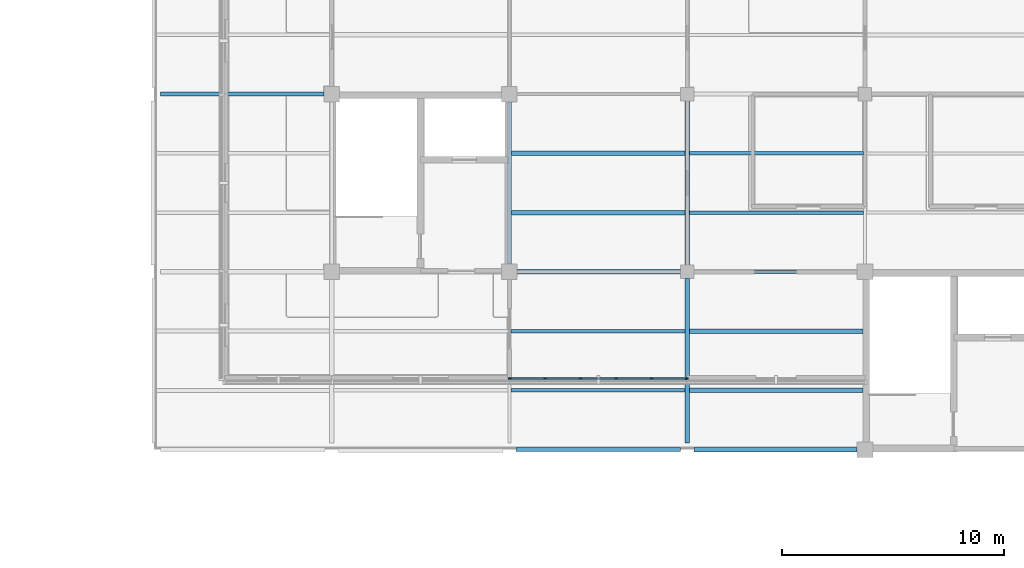
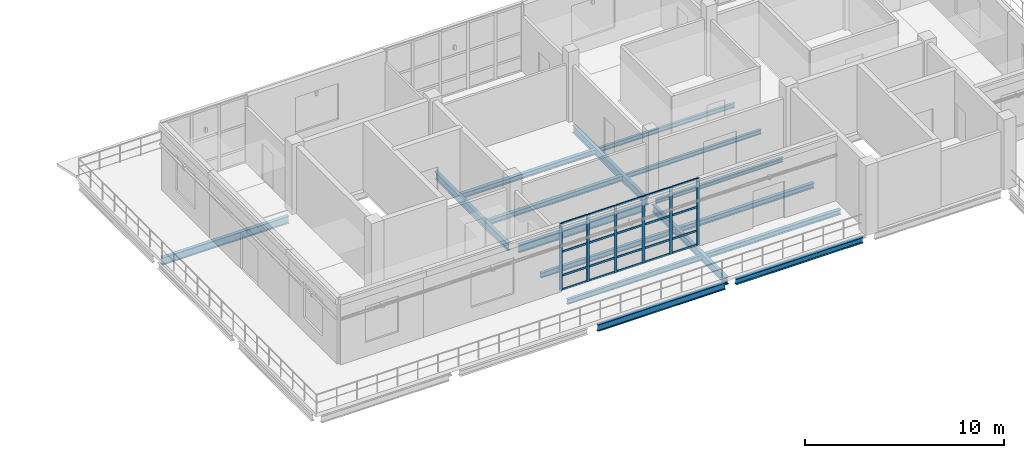
# One storey, part 8 of 24: 26 members, 16 beams, 1 element without a shape of its own.
"""IFC4 building model written with IfcOpenShell, lengths in metres."""

from ifc_helpers import new_model, si_unit, derived_unit, direction, frame, origin, origin_2d, place, context, subcontext, project, spatial, rectangle, i_section, extrude, material, layer, layer_set, material_profile, profile_set, type_object, element, aggregate, save


model = new_model("IFC4")

# Units and contexts
model_context = context("Model", 3, precision=1e-05, world=origin(), true_north=direction((0.0, 1.0)))
body_context = subcontext(model_context, "Body", "Model", "MODEL_VIEW")
ifc_project = project(units=[si_unit("LENGTHUNIT", "METRE"), si_unit("AREAUNIT", "SQUARE_METRE"), si_unit("VOLUMEUNIT", "CUBIC_METRE"), si_unit("PLANEANGLEUNIT", "RADIAN"), si_unit("MASSUNIT", "GRAM", prefix="KILO"), derived_unit("THERMALTRANSMITTANCEUNIT", [(si_unit("MASSUNIT", "GRAM", prefix="KILO"), 1), (si_unit("TIMEUNIT", "SECOND"), -3), (si_unit("THERMODYNAMICTEMPERATUREUNIT", "KELVIN"), -1)])], contexts=[model_context])

# Site, building, storey
site_placement = place(None, origin())
site = spatial("IfcSite", under=ifc_project, at=site_placement, CompositionType="ELEMENT")
building_placement = place(site_placement, origin())
building = spatial("IfcBuilding", under=site, at=building_placement, Name="Veyamyaing Civic Hall", CompositionType="ELEMENT")
storey_placement = place(building_placement, frame((0.0, 0.0, 25.739990234375)))
storey = spatial("IfcBuildingStorey", under=building, at=storey_placement, Name="L06", CompositionType="ELEMENT", Elevation=25.739990234375)

# Beams
ifc_material_1 = material(Name="Steel ASTM A992", Category="steel")
ifc_material_profile_1 = material_profile(ifc_material_1, i_section(OverallWidth=0.19189453125, OverallDepth=0.462890625, WebThickness=0.010498046875, FlangeThickness=0.017578125, FilletRadius=0.010009765625, at=origin_2d()), Name="W460X89")
ifc_profile_set_1 = profile_set([ifc_material_profile_1], Name="Steel ASTM A992")
beam_type_1 = type_object("IfcBeamType", Name="B-08", PredefinedType="BEAM", material=ifc_profile_set_1)
beam_1_placement = place(storey_placement, frame((144.0, 96.35009765625, -0.45654296875), z_axis=(0.0, 1.0, 0.0), x_axis=(-1.0, 0.0, 0.0)))
element("IfcBeam", 1, at=beam_1_placement, inside=storey, type_object=beam_type_1, Name="Girder B-08 L06 Grid 19 N-P", PredefinedType="BEAM", context=body_context, shape_type="SweptSolid", body=[
    extrude(i_section(OverallWidth=0.19189453125, OverallDepth=0.462890625, WebThickness=0.010498046875, FlangeThickness=0.017578125, FilletRadius=0.010009765625, at=origin_2d()), origin(), (0.0, 0.0, 1.0), 7.2998046875),
])
beam_2_placement = place(storey_placement, frame((152.0, 88.300048828125, -0.46142578125), z_axis=(0.0, 1.0, 0.0), x_axis=(-1.0, 0.0, 0.0)))
element("IfcBeam", 2, at=beam_2_placement, inside=storey, type_object=beam_type_1, Name="Girder B-08 L06 Grid 20 M-N", PredefinedType="BEAM", context=body_context, shape_type="SweptSolid", body=[
    extrude(i_section(OverallWidth=0.19189453125, OverallDepth=0.462890625, WebThickness=0.010498046875, FlangeThickness=0.017578125, FilletRadius=0.010009765625, at=origin_2d()), origin(), (0.0, 0.0, 1.0), 7.39990234375),
])
ifc_material_profile_2 = material_profile(ifc_material_1, i_section(OverallWidth=0.18994140625, OverallDepth=0.45703125, WebThickness=0.009033203125, FlangeThickness=0.014404296875, FilletRadius=0.010009765625, at=origin_2d()), Name="W460X74")
ifc_profile_set_2 = profile_set([ifc_material_profile_2], Name="Steel ASTM A992")
beam_type_2 = type_object("IfcBeamType", Name="B-09", PredefinedType="BEAM", material=ifc_profile_set_2)
beam_3_placement = place(storey_placement, frame((128.300048828125, 104.0, -0.45849609375), z_axis=(1.0, 0.0, 0.0), x_axis=(0.0, 1.0, 0.0)))
element("IfcBeam", 3, at=beam_3_placement, inside=storey, type_object=beam_type_2, Name="Girder B-09 L06 Grid P 17-18", PredefinedType="BEAM", context=body_context, shape_type="SweptSolid", body=[
    extrude(i_section(OverallWidth=0.18994140625, OverallDepth=0.45703125, WebThickness=0.009033203125, FlangeThickness=0.014404296875, FilletRadius=0.010009765625, at=origin_2d()), origin(), (0.0, 0.0, 1.0), 7.349853515625),
])
beam_4_placement = place(storey_placement, frame((152.0, 96.300048828125, -0.453369140625), z_axis=(0.0, 1.0, 0.0), x_axis=(-1.0, 0.0, 0.0)))
element("IfcBeam", 4, at=beam_4_placement, inside=storey, type_object=beam_type_2, Name="Girder B-09 L06 Grid 20 N-P", PredefinedType="BEAM", context=body_context, shape_type="SweptSolid", body=[
    extrude(i_section(OverallWidth=0.18994140625, OverallDepth=0.45703125, WebThickness=0.009033203125, FlangeThickness=0.014404296875, FilletRadius=0.010009765625, at=origin_2d()), origin(), (0.0, 0.0, 1.0), 7.39990234375),
])
ifc_material_profile_3 = material_profile(ifc_material_1, i_section(OverallWidth=0.179931640625, OverallDepth=0.4130859375, WebThickness=0.009765625, FlangeThickness=0.01611328125, FilletRadius=0.010009765625, at=origin_2d()), Name="W410X74")
ifc_profile_set_3 = profile_set([ifc_material_profile_3], Name="Steel ASTM A992")
beam_type_3 = type_object("IfcBeamType", Name="B-10", PredefinedType="SPANDREL", material=ifc_profile_set_3)
beam_5_placement = place(storey_placement, frame((144.300048828125, 88.0, -0.4365234375), z_axis=(1.0, 0.0, 0.0), x_axis=(0.0, 1.0, 0.0)))
element("IfcBeam", 5, at=beam_5_placement, inside=storey, type_object=beam_type_3, Name="Girder B-10 L06 Grid M 19-20", PredefinedType="SPANDREL", context=body_context, shape_type="SweptSolid", body=[
    extrude(i_section(OverallWidth=0.179931640625, OverallDepth=0.4130859375, WebThickness=0.009765625, FlangeThickness=0.01611328125, FilletRadius=0.010009765625, at=origin_2d()), origin(), (0.0, 0.0, 1.0), 7.39990234375),
])
ifc_material_profile_4 = material_profile(ifc_material_1, i_section(OverallWidth=0.2041015625, OverallDepth=0.35009765625, WebThickness=0.0078125, FlangeThickness=0.01513671875, FilletRadius=0.010009765625, at=origin_2d()), Name="W360X72")
ifc_profile_set_4 = profile_set([ifc_material_profile_4], Name="Steel ASTM A992")
beam_type_4 = type_object("IfcBeamType", Name="B-11", PredefinedType="SPANDREL", material=ifc_profile_set_4)
beam_6_placement = place(storey_placement, frame((152.300048828125, 88.0, -0.405029296875), z_axis=(1.0, 0.0, 0.0), x_axis=(0.0, 1.0, 0.0)))
element("IfcBeam", 6, at=beam_6_placement, inside=storey, type_object=beam_type_4, Name="Girder B-11 L06 Grid M 20-21", PredefinedType="SPANDREL", context=body_context, shape_type="SweptSolid", body=[
    extrude(i_section(OverallWidth=0.2041015625, OverallDepth=0.35009765625, WebThickness=0.0078125, FlangeThickness=0.01513671875, FilletRadius=0.010009765625, at=origin_2d()), origin(), (0.0, 0.0, 1.0), 7.349853515625),
])
ifc_material_profile_5 = material_profile(ifc_material_1, i_section(OverallWidth=0.14599609375, OverallDepth=0.258056640625, WebThickness=0.006103515625, FlangeThickness=0.009033203125, FilletRadius=0.010009765625, at=origin_2d()), Name="W250X33")
ifc_profile_set_5 = profile_set([ifc_material_profile_5], Name="Steel ASTM A992")
beam_type_5 = type_object("IfcBeamType", Name="B-12", PredefinedType="BEAM", material=ifc_profile_set_5)
beam_7_placement = place(storey_placement, frame((152.300048828125, 96.0, -0.35400390625), z_axis=(1.0, 0.0, 0.0), x_axis=(0.0, 1.0, 0.0)))
element("IfcBeam", 7, at=beam_7_placement, inside=storey, type_object=beam_type_5, Name="Girder B-12 L06 Grid N 20-21", PredefinedType="BEAM", context=body_context, shape_type="SweptSolid", body=[
    extrude(i_section(OverallWidth=0.14599609375, OverallDepth=0.258056640625, WebThickness=0.006103515625, FlangeThickness=0.009033203125, FilletRadius=0.010009765625, at=origin_2d()), origin(), (0.0, 0.0, 1.0), 7.349853515625),
])
ifc_material_profile_6 = material_profile(ifc_material_1, i_section(OverallWidth=0.194091796875, OverallDepth=0.468994140625, WebThickness=0.0126953125, FlangeThickness=0.0205078125, FilletRadius=0.010009765625, at=origin_2d()), Name="W460X106")
ifc_profile_set_6 = profile_set([ifc_material_profile_6], Name="Steel ASTM A992")
beam_type_6 = type_object("IfcBeamType", Name="B-18", PredefinedType="BEAM", material=ifc_profile_set_6)
beam_8_placement = place(storey_placement, frame((144.35009765625, 96.0, -0.45947265625), z_axis=(1.0, 0.0, 0.0), x_axis=(0.0, 1.0, 0.0)))
element("IfcBeam", 8, at=beam_8_placement, inside=storey, type_object=beam_type_6, Name="Girder B-18 L06 Grid N 19-20", PredefinedType="BEAM", context=body_context, shape_type="SweptSolid", body=[
    extrude(i_section(OverallWidth=0.194091796875, OverallDepth=0.468994140625, WebThickness=0.0126953125, FlangeThickness=0.0205078125, FilletRadius=0.010009765625, at=origin_2d()), origin(), (0.0, 0.0, 1.0), 7.349853515625),
])

# Curtain wall, members
ifc_material_2 = material(Name="Anodised aluminium 6063-T6", Category="aluminium")
ifc_layer = layer(ifc_material_2, 0.159912109375, Name="Anodised aluminium 6063-T6")
ifc_layer_set = layer_set([ifc_layer], Name="Anodised aluminium 6063-T6")
curtain_wall_type = type_object("IfcCurtainWallType", Name="CW-05", PredefinedType="NOTDEFINED", material=ifc_layer_set)
curtain_wall_placement = place(storey_placement, origin())
curtain_wall = element("IfcCurtainWall", 9, at=curtain_wall_placement, inside=storey, type_object=curtain_wall_type, Name="Executive terrace curtain wall CW-05 L06-NE-S-2", PredefinedType="NOTDEFINED")
ifc_material_profile_7 = material_profile(ifc_material_2, rectangle(XDim=0.06494140625, YDim=0.159912109375, at=origin_2d()), Name="ALU-MUL-65X160")
ifc_profile_set_7 = profile_set([ifc_material_profile_7], Name="Anodised aluminium 6063-T6")
member_type_1 = type_object("IfcMemberType", Name="CWM-01", PredefinedType="MULLION", material=ifc_profile_set_7)
member_1_placement = place(storey_placement, frame((144.032470703125, 91.199951171875, 0.0), z_axis=(0.0, 0.0, 1.0), x_axis=(0.0, 1.0, 0.0)))
member_1 = element("IfcMember", 10, at=member_1_placement, type_object=member_type_1, Name="CW-05 mullion 1", PredefinedType="MULLION", context=body_context, shape_type="SweptSolid", body=[
    extrude(rectangle(XDim=0.06494140625, YDim=0.159912109375, at=origin_2d()), origin(), (0.0, 0.0, 1.0), 4.090087890625),
])
member_2_placement = place(storey_placement, frame((145.60009765625, 91.199951171875, 0.0), z_axis=(0.0, 0.0, 1.0), x_axis=(0.0, 1.0, 0.0)))
member_2 = element("IfcMember", 11, at=member_2_placement, type_object=member_type_1, Name="CW-05 mullion 2", PredefinedType="MULLION", context=body_context, shape_type="SweptSolid", body=[
    extrude(rectangle(XDim=0.06494140625, YDim=0.159912109375, at=origin_2d()), origin(), (0.0, 0.0, 1.0), 4.090087890625),
])
member_3_placement = place(storey_placement, frame((147.199951171875, 91.199951171875, 0.0), z_axis=(0.0, 0.0, 1.0), x_axis=(0.0, 1.0, 0.0)))
member_3 = element("IfcMember", 12, at=member_3_placement, type_object=member_type_1, Name="CW-05 mullion 3", PredefinedType="MULLION", context=body_context, shape_type="SweptSolid", body=[
    extrude(rectangle(XDim=0.06494140625, YDim=0.159912109375, at=origin_2d()), origin(), (0.0, 0.0, 1.0), 4.090087890625),
])
member_4_placement = place(storey_placement, frame((148.800048828125, 91.199951171875, 0.0), z_axis=(0.0, 0.0, 1.0), x_axis=(0.0, 1.0, 0.0)))
member_4 = element("IfcMember", 13, at=member_4_placement, type_object=member_type_1, Name="CW-05 mullion 4", PredefinedType="MULLION", context=body_context, shape_type="SweptSolid", body=[
    extrude(rectangle(XDim=0.06494140625, YDim=0.159912109375, at=origin_2d()), origin(), (0.0, 0.0, 1.0), 4.090087890625),
])
member_5_placement = place(storey_placement, frame((150.39990234375, 91.199951171875, 0.0), z_axis=(0.0, 0.0, 1.0), x_axis=(0.0, 1.0, 0.0)))
member_5 = element("IfcMember", 14, at=member_5_placement, type_object=member_type_1, Name="CW-05 mullion 5", PredefinedType="MULLION", context=body_context, shape_type="SweptSolid", body=[
    extrude(rectangle(XDim=0.06494140625, YDim=0.159912109375, at=origin_2d()), origin(), (0.0, 0.0, 1.0), 4.090087890625),
])
member_6_placement = place(storey_placement, frame((151.967529296875, 91.199951171875, 0.0), z_axis=(0.0, 0.0, 1.0), x_axis=(0.0, 1.0, 0.0)))
member_6 = element("IfcMember", 15, at=member_6_placement, type_object=member_type_1, Name="CW-05 mullion 6", PredefinedType="MULLION", context=body_context, shape_type="SweptSolid", body=[
    extrude(rectangle(XDim=0.06494140625, YDim=0.159912109375, at=origin_2d()), origin(), (0.0, 0.0, 1.0), 4.090087890625),
])
ifc_material_profile_8 = material_profile(ifc_material_2, rectangle(XDim=0.06494140625, YDim=0.1201171875, at=origin_2d()), Name="ALU-TRN-65X120")
ifc_profile_set_8 = profile_set([ifc_material_profile_8], Name="Anodised aluminium 6063-T6")
member_type_2 = type_object("IfcMemberType", Name="CWT-01", PredefinedType="USERDEFINED", material=ifc_profile_set_8)
member_7_placement = place(storey_placement, frame((144.06494140625, 91.199951171875, 0.032470703125), z_axis=(1.0, 0.0, 0.0), x_axis=(0.0, 1.0, 0.0)))
member_7 = element("IfcMember", 16, at=member_7_placement, type_object=member_type_2, Name="CW-05 transom 1.1", ObjectType="TRANSOM", PredefinedType="USERDEFINED", context=body_context, shape_type="SweptSolid", body=[
    extrude(rectangle(XDim=0.06494140625, YDim=0.1201171875, at=origin_2d()), origin(), (0.0, 0.0, 1.0), 1.50244140625),
])
member_8_placement = place(storey_placement, frame((144.06494140625, 91.199951171875, 0.89990234375), z_axis=(1.0, 0.0, 0.0), x_axis=(0.0, 1.0, 0.0)))
member_8 = element("IfcMember", 17, at=member_8_placement, type_object=member_type_2, Name="CW-05 transom 1.2", ObjectType="TRANSOM", PredefinedType="USERDEFINED", context=body_context, shape_type="SweptSolid", body=[
    extrude(rectangle(XDim=0.06494140625, YDim=0.1201171875, at=origin_2d()), origin(), (0.0, 0.0, 1.0), 1.50244140625),
])
member_9_placement = place(storey_placement, frame((144.06494140625, 91.199951171875, 2.35009765625), z_axis=(1.0, 0.0, 0.0), x_axis=(0.0, 1.0, 0.0)))
member_9 = element("IfcMember", 18, at=member_9_placement, type_object=member_type_2, Name="CW-05 transom 1.3", ObjectType="TRANSOM", PredefinedType="USERDEFINED", context=body_context, shape_type="SweptSolid", body=[
    extrude(rectangle(XDim=0.06494140625, YDim=0.1201171875, at=origin_2d()), origin(), (0.0, 0.0, 1.0), 1.50244140625),
])
member_10_placement = place(storey_placement, frame((144.06494140625, 91.199951171875, 4.0576171875), z_axis=(1.0, 0.0, 0.0), x_axis=(0.0, 1.0, 0.0)))
member_10 = element("IfcMember", 19, at=member_10_placement, type_object=member_type_2, Name="CW-05 transom 1.4", ObjectType="TRANSOM", PredefinedType="USERDEFINED", context=body_context, shape_type="SweptSolid", body=[
    extrude(rectangle(XDim=0.06494140625, YDim=0.1201171875, at=origin_2d()), origin(), (0.0, 0.0, 1.0), 1.50244140625),
])
member_11_placement = place(storey_placement, frame((145.632568359375, 91.199951171875, 0.032470703125), z_axis=(1.0, 0.0, 0.0), x_axis=(0.0, 1.0, 0.0)))
member_11 = element("IfcMember", 20, at=member_11_placement, type_object=member_type_2, Name="CW-05 transom 2.1", ObjectType="TRANSOM", PredefinedType="USERDEFINED", context=body_context, shape_type="SweptSolid", body=[
    extrude(rectangle(XDim=0.06494140625, YDim=0.1201171875, at=origin_2d()), origin(), (0.0, 0.0, 1.0), 1.534912109375),
])
member_12_placement = place(storey_placement, frame((145.632568359375, 91.199951171875, 0.89990234375), z_axis=(1.0, 0.0, 0.0), x_axis=(0.0, 1.0, 0.0)))
member_12 = element("IfcMember", 21, at=member_12_placement, type_object=member_type_2, Name="CW-05 transom 2.2", ObjectType="TRANSOM", PredefinedType="USERDEFINED", context=body_context, shape_type="SweptSolid", body=[
    extrude(rectangle(XDim=0.06494140625, YDim=0.1201171875, at=origin_2d()), origin(), (0.0, 0.0, 1.0), 1.534912109375),
])
member_13_placement = place(storey_placement, frame((145.632568359375, 91.199951171875, 2.35009765625), z_axis=(1.0, 0.0, 0.0), x_axis=(0.0, 1.0, 0.0)))
member_13 = element("IfcMember", 22, at=member_13_placement, type_object=member_type_2, Name="CW-05 transom 2.3", ObjectType="TRANSOM", PredefinedType="USERDEFINED", context=body_context, shape_type="SweptSolid", body=[
    extrude(rectangle(XDim=0.06494140625, YDim=0.1201171875, at=origin_2d()), origin(), (0.0, 0.0, 1.0), 1.534912109375),
])
member_14_placement = place(storey_placement, frame((145.632568359375, 91.199951171875, 4.0576171875), z_axis=(1.0, 0.0, 0.0), x_axis=(0.0, 1.0, 0.0)))
member_14 = element("IfcMember", 23, at=member_14_placement, type_object=member_type_2, Name="CW-05 transom 2.4", ObjectType="TRANSOM", PredefinedType="USERDEFINED", context=body_context, shape_type="SweptSolid", body=[
    extrude(rectangle(XDim=0.06494140625, YDim=0.1201171875, at=origin_2d()), origin(), (0.0, 0.0, 1.0), 1.534912109375),
])
member_15_placement = place(storey_placement, frame((147.232421875, 91.199951171875, 0.032470703125), z_axis=(1.0, 0.0, 0.0), x_axis=(0.0, 1.0, 0.0)))
member_15 = element("IfcMember", 24, at=member_15_placement, type_object=member_type_2, Name="CW-05 transom 3.1", ObjectType="TRANSOM", PredefinedType="USERDEFINED", context=body_context, shape_type="SweptSolid", body=[
    extrude(rectangle(XDim=0.06494140625, YDim=0.1201171875, at=origin_2d()), origin(), (0.0, 0.0, 1.0), 1.53515625),
])
member_16_placement = place(storey_placement, frame((147.232421875, 91.199951171875, 0.89990234375), z_axis=(1.0, 0.0, 0.0), x_axis=(0.0, 1.0, 0.0)))
member_16 = element("IfcMember", 25, at=member_16_placement, type_object=member_type_2, Name="CW-05 transom 3.2", ObjectType="TRANSOM", PredefinedType="USERDEFINED", context=body_context, shape_type="SweptSolid", body=[
    extrude(rectangle(XDim=0.06494140625, YDim=0.1201171875, at=origin_2d()), origin(), (0.0, 0.0, 1.0), 1.53515625),
])
member_17_placement = place(storey_placement, frame((147.232421875, 91.199951171875, 2.35009765625), z_axis=(1.0, 0.0, 0.0), x_axis=(0.0, 1.0, 0.0)))
member_17 = element("IfcMember", 26, at=member_17_placement, type_object=member_type_2, Name="CW-05 transom 3.3", ObjectType="TRANSOM", PredefinedType="USERDEFINED", context=body_context, shape_type="SweptSolid", body=[
    extrude(rectangle(XDim=0.06494140625, YDim=0.1201171875, at=origin_2d()), origin(), (0.0, 0.0, 1.0), 1.53515625),
])
member_18_placement = place(storey_placement, frame((147.232421875, 91.199951171875, 4.0576171875), z_axis=(1.0, 0.0, 0.0), x_axis=(0.0, 1.0, 0.0)))
member_18 = element("IfcMember", 27, at=member_18_placement, type_object=member_type_2, Name="CW-05 transom 3.4", ObjectType="TRANSOM", PredefinedType="USERDEFINED", context=body_context, shape_type="SweptSolid", body=[
    extrude(rectangle(XDim=0.06494140625, YDim=0.1201171875, at=origin_2d()), origin(), (0.0, 0.0, 1.0), 1.53515625),
])
member_19_placement = place(storey_placement, frame((148.83251953125, 91.199951171875, 0.032470703125), z_axis=(1.0, 0.0, 0.0), x_axis=(0.0, 1.0, 0.0)))
member_19 = element("IfcMember", 28, at=member_19_placement, type_object=member_type_2, Name="CW-05 transom 4.1", ObjectType="TRANSOM", PredefinedType="USERDEFINED", context=body_context, shape_type="SweptSolid", body=[
    extrude(rectangle(XDim=0.06494140625, YDim=0.1201171875, at=origin_2d()), origin(), (0.0, 0.0, 1.0), 1.534912109375),
])
member_20_placement = place(storey_placement, frame((148.83251953125, 91.199951171875, 0.89990234375), z_axis=(1.0, 0.0, 0.0), x_axis=(0.0, 1.0, 0.0)))
member_20 = element("IfcMember", 29, at=member_20_placement, type_object=member_type_2, Name="CW-05 transom 4.2", ObjectType="TRANSOM", PredefinedType="USERDEFINED", context=body_context, shape_type="SweptSolid", body=[
    extrude(rectangle(XDim=0.06494140625, YDim=0.1201171875, at=origin_2d()), origin(), (0.0, 0.0, 1.0), 1.534912109375),
])
member_21_placement = place(storey_placement, frame((148.83251953125, 91.199951171875, 2.35009765625), z_axis=(1.0, 0.0, 0.0), x_axis=(0.0, 1.0, 0.0)))
member_21 = element("IfcMember", 30, at=member_21_placement, type_object=member_type_2, Name="CW-05 transom 4.3", ObjectType="TRANSOM", PredefinedType="USERDEFINED", context=body_context, shape_type="SweptSolid", body=[
    extrude(rectangle(XDim=0.06494140625, YDim=0.1201171875, at=origin_2d()), origin(), (0.0, 0.0, 1.0), 1.534912109375),
])
member_22_placement = place(storey_placement, frame((148.83251953125, 91.199951171875, 4.0576171875), z_axis=(1.0, 0.0, 0.0), x_axis=(0.0, 1.0, 0.0)))
member_22 = element("IfcMember", 31, at=member_22_placement, type_object=member_type_2, Name="CW-05 transom 4.4", ObjectType="TRANSOM", PredefinedType="USERDEFINED", context=body_context, shape_type="SweptSolid", body=[
    extrude(rectangle(XDim=0.06494140625, YDim=0.1201171875, at=origin_2d()), origin(), (0.0, 0.0, 1.0), 1.534912109375),
])
member_23_placement = place(storey_placement, frame((150.4326171875, 91.199951171875, 0.032470703125), z_axis=(1.0, 0.0, 0.0), x_axis=(0.0, 1.0, 0.0)))
member_23 = element("IfcMember", 32, at=member_23_placement, type_object=member_type_2, Name="CW-05 transom 5.1", ObjectType="TRANSOM", PredefinedType="USERDEFINED", context=body_context, shape_type="SweptSolid", body=[
    extrude(rectangle(XDim=0.06494140625, YDim=0.1201171875, at=origin_2d()), origin(), (0.0, 0.0, 1.0), 1.50244140625),
])
member_24_placement = place(storey_placement, frame((150.4326171875, 91.199951171875, 0.89990234375), z_axis=(1.0, 0.0, 0.0), x_axis=(0.0, 1.0, 0.0)))
member_24 = element("IfcMember", 33, at=member_24_placement, type_object=member_type_2, Name="CW-05 transom 5.2", ObjectType="TRANSOM", PredefinedType="USERDEFINED", context=body_context, shape_type="SweptSolid", body=[
    extrude(rectangle(XDim=0.06494140625, YDim=0.1201171875, at=origin_2d()), origin(), (0.0, 0.0, 1.0), 1.50244140625),
])
member_25_placement = place(storey_placement, frame((150.4326171875, 91.199951171875, 2.35009765625), z_axis=(1.0, 0.0, 0.0), x_axis=(0.0, 1.0, 0.0)))
member_25 = element("IfcMember", 34, at=member_25_placement, type_object=member_type_2, Name="CW-05 transom 5.3", ObjectType="TRANSOM", PredefinedType="USERDEFINED", context=body_context, shape_type="SweptSolid", body=[
    extrude(rectangle(XDim=0.06494140625, YDim=0.1201171875, at=origin_2d()), origin(), (0.0, 0.0, 1.0), 1.50244140625),
])
member_26_placement = place(storey_placement, frame((150.4326171875, 91.199951171875, 4.0576171875), z_axis=(1.0, 0.0, 0.0), x_axis=(0.0, 1.0, 0.0)))
member_26 = element("IfcMember", 35, at=member_26_placement, type_object=member_type_2, Name="CW-05 transom 5.4", ObjectType="TRANSOM", PredefinedType="USERDEFINED", context=body_context, shape_type="SweptSolid", body=[
    extrude(rectangle(XDim=0.06494140625, YDim=0.1201171875, at=origin_2d()), origin(), (0.0, 0.0, 1.0), 1.50244140625),
])
aggregate(curtain_wall, [member_1, member_2, member_3, member_4, member_5, member_6, member_7, member_8, member_9, member_10, member_11, member_12, member_13, member_14, member_15, member_16, member_17, member_18, member_19, member_20, member_21, member_22, member_23, member_24, member_25, member_26])

# Beams
ifc_material_profile_9 = material_profile(ifc_material_1, i_section(OverallWidth=0.1650390625, OverallDepth=0.31005859375, WebThickness=0.005859375, FlangeThickness=0.009765625, FilletRadius=0.010009765625, at=origin_2d()), Name="W310X39")
ifc_profile_set_9 = profile_set([ifc_material_profile_9], Name="Steel ASTM A992")
beam_type_7 = type_object("IfcBeamType", Name="J-05", PredefinedType="JOIST", material=ifc_profile_set_9)
for number, where, z_axis, x_axis, name in (
    (36, (144.071044921875, 90.666748046875, -0.385009765625), (1.0, 0.0, 0.0), (0.0, 1.0, 0.0), "Composite floor joist J-05 L06 19.12.1"),
    (37, (144.071044921875, 93.333251953125, -0.385009765625), (1.0, 0.0, 0.0), (0.0, 1.0, 0.0), "Composite floor joist J-05 L06 19.12.2"),
):
    element("IfcBeam", number, at=place(storey_placement, frame(where, z_axis=z_axis, x_axis=x_axis)), inside=storey, type_object=beam_type_7, Name=name, PredefinedType="JOIST", context=body_context, shape_type="SweptSolid", body=[
        extrude(i_section(OverallWidth=0.1650390625, OverallDepth=0.31005859375, WebThickness=0.005859375, FlangeThickness=0.009765625, FilletRadius=0.010009765625, at=origin_2d()), origin(), (0.0, 0.0, 1.0), 7.8349609375),
    ])
ifc_material_profile_10 = material_profile(ifc_material_1, i_section(OverallWidth=0.2041015625, OverallDepth=0.305908203125, WebThickness=0.008544921875, FlangeThickness=0.0146484375, FilletRadius=0.010009765625, at=origin_2d()), Name="W310X67")
ifc_profile_set_10 = profile_set([ifc_material_profile_10], Name="Steel ASTM A992")
beam_type_8 = type_object("IfcBeamType", Name="J-06", PredefinedType="JOIST", material=ifc_profile_set_10)
for number, where, z_axis, x_axis, name in (
    (38, (144.093994140625, 98.666748046875, -0.3779296875), (1.0, 0.0, 0.0), (0.0, 1.0, 0.0), "Composite floor joist J-06 L06 19.13.1"),
    (39, (144.093994140625, 101.333251953125, -0.3779296875), (1.0, 0.0, 0.0), (0.0, 1.0, 0.0), "Composite floor joist J-06 L06 19.13.2"),
    (40, (152.093994140625, 90.666748046875, -0.383056640625), (1.0, 0.0, 0.0), (0.0, 1.0, 0.0), "Composite floor joist J-06 L06 20.12.1"),
    (41, (152.093994140625, 93.333251953125, -0.383056640625), (1.0, 0.0, 0.0), (0.0, 1.0, 0.0), "Composite floor joist J-06 L06 20.12.2"),
):
    element("IfcBeam", number, at=place(storey_placement, frame(where, z_axis=z_axis, x_axis=x_axis)), inside=storey, type_object=beam_type_8, Name=name, PredefinedType="JOIST", context=body_context, shape_type="SweptSolid", body=[
        extrude(i_section(OverallWidth=0.2041015625, OverallDepth=0.305908203125, WebThickness=0.008544921875, FlangeThickness=0.0146484375, FilletRadius=0.010009765625, at=origin_2d()), origin(), (0.0, 0.0, 1.0), 7.81298828125),
    ])
ifc_material_profile_11 = material_profile(ifc_material_1, i_section(OverallWidth=0.14794921875, OverallDepth=0.26611328125, WebThickness=0.007568359375, FlangeThickness=0.012939453125, FilletRadius=0.010009765625, at=origin_2d()), Name="W250X45")
ifc_profile_set_11 = profile_set([ifc_material_profile_11], Name="Steel ASTM A992")
beam_type_9 = type_object("IfcBeamType", Name="J-07", PredefinedType="JOIST", material=ifc_profile_set_11)
for number, where, z_axis, x_axis, name in (
    (42, (152.093017578125, 98.666748046875, -0.35791015625), (1.0, 0.0, 0.0), (0.0, 1.0, 0.0), "Composite floor joist J-07 L06 20.13.1"),
    (43, (152.093017578125, 101.333251953125, -0.35791015625), (1.0, 0.0, 0.0), (0.0, 1.0, 0.0), "Composite floor joist J-07 L06 20.13.2"),
):
    element("IfcBeam", number, at=place(storey_placement, frame(where, z_axis=z_axis, x_axis=x_axis)), inside=storey, type_object=beam_type_9, Name=name, PredefinedType="JOIST", context=body_context, shape_type="SweptSolid", body=[
        extrude(i_section(OverallWidth=0.14794921875, OverallDepth=0.26611328125, WebThickness=0.007568359375, FlangeThickness=0.012939453125, FilletRadius=0.010009765625, at=origin_2d()), origin(), (0.0, 0.0, 1.0), 7.8359375),
    ])

save(model, "model.ifc")
